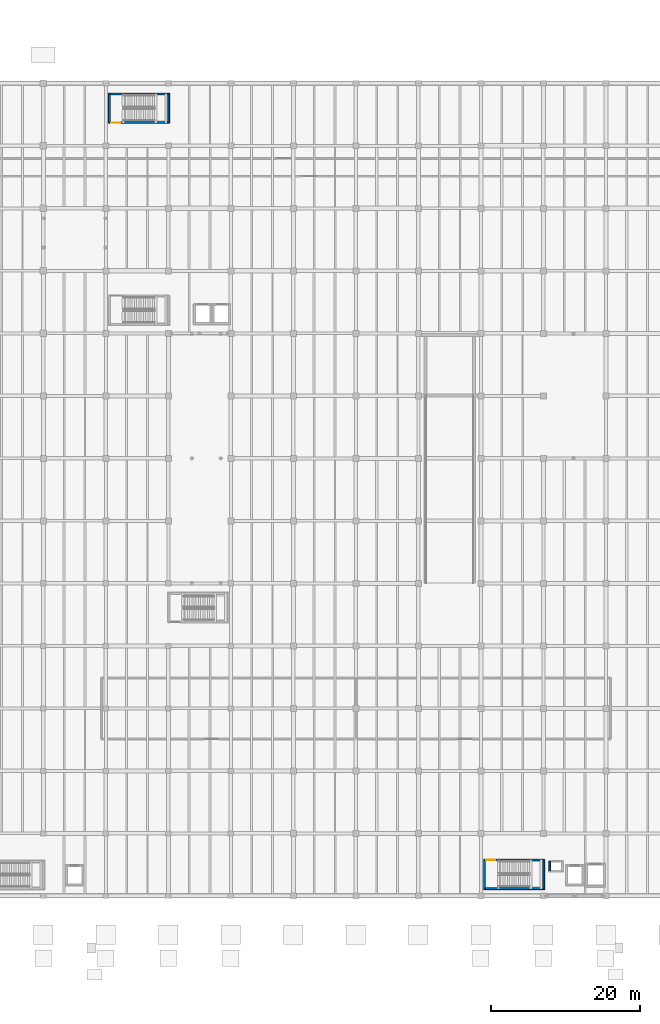
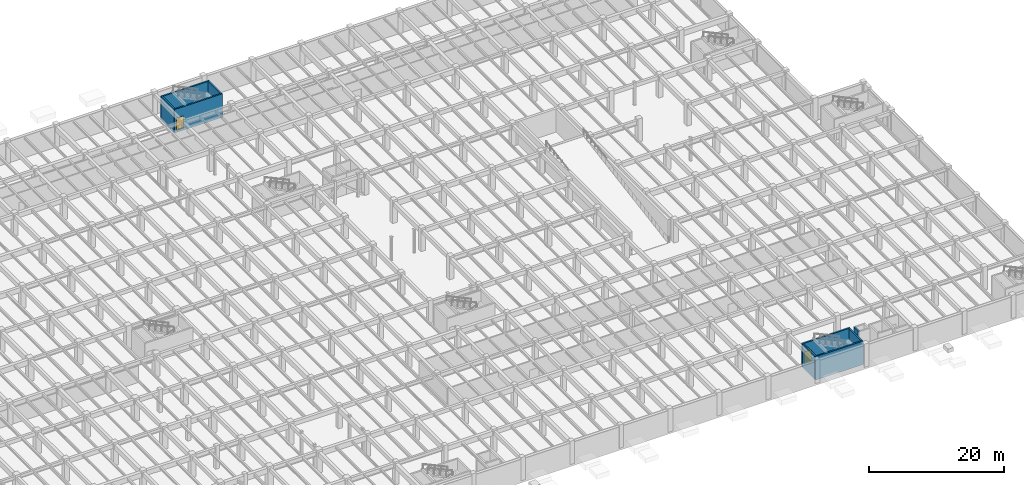
# One storey, part 44 of 63: 9 walls, 2 doors, 2 openings.
"""IFC4 building model written with IfcOpenShell, lengths in metres."""

from ifc_helpers import new_model, si_unit, direction, frame, frame_2d, origin, place, context, subcontext, project, spatial, rectangle, extrude, material, layer, layer_set, type_object, element, fill, save


model = new_model("IFC4")

# Units and contexts
model_context = context("Model", 3, precision=1e-05, world=origin(), true_north=direction((0.0, 1.0)))
body_context = subcontext(model_context, "Body", "Model", "MODEL_VIEW")
ifc_project = project(units=[si_unit("LENGTHUNIT", "METRE"), si_unit("AREAUNIT", "SQUARE_METRE"), si_unit("VOLUMEUNIT", "CUBIC_METRE"), si_unit("PLANEANGLEUNIT", "RADIAN"), si_unit("MASSUNIT", "GRAM", prefix="KILO")], contexts=[model_context])

# Site, building, storey
site_placement = place(None, origin())
site = spatial("IfcSite", under=ifc_project, at=site_placement, CompositionType="ELEMENT")
building_placement = place(site_placement, origin())
building = spatial("IfcBuilding", under=site, at=building_placement, Name="Cumbredor Promenade Congress Hotel", CompositionType="ELEMENT")
storey_placement = place(building_placement, frame((0.0, 0.0, -4.199951171875)))
storey = spatial("IfcBuildingStorey", under=building, at=storey_placement, Name="B01", CompositionType="ELEMENT", Elevation=-4.199951171875)

# Wall
ifc_material_1 = material(Name="Concrete C40/50", Category="concrete")
ifc_layer = layer(ifc_material_1, 0.2548828125, Name="Concrete C40/50", Category="concrete")
ifc_layer_set = layer_set([ifc_layer], Name="Concrete C40/50")
wall_type = type_object("IfcWallType", Name="WL-SHAFT-250", PredefinedType="SOLIDWALL", material=ifc_layer_set)
wall_1_placement = place(storey_placement, frame((143.152587890625, 9.3798828125, -0.400146484375), z_axis=(0.0, 0.0, 1.0), x_axis=(1.0, 0.0, 0.0)))
element("IfcWall", 1, at=wall_1_placement, inside=storey, type_object=wall_type, Name="STAIR-ST-08-B01 Shaft Wall South", PredefinedType="SOLIDWALL", context=body_context, shape_type="SweptSolid", body=[
    extrude(rectangle(XDim=8.224853515625, YDim=0.2548828125, at=frame_2d((4.1123046875, 0.0))), origin(), (0.0, 0.0, 1.0), 4.25),
])

# Wall, opening, door
wall_2_placement = place(storey_placement, frame((143.152587890625, 13.25, -0.400146484375), z_axis=(0.0, 0.0, 1.0), x_axis=(1.0, 0.0, 0.0)))
wall_2 = element("IfcWall", 2, at=wall_2_placement, inside=storey, type_object=wall_type, Name="STAIR-ST-08-B01 Shaft Wall North", PredefinedType="SOLIDWALL", context=body_context, shape_type="SweptSolid", body=[
    extrude(rectangle(XDim=8.224853515625, YDim=0.2548828125, at=frame_2d((4.1123046875, 0.0))), origin(), (0.0, 0.0, 1.0), 4.25),
])
opening_1_placement = place(wall_2_placement, frame((0.35009765625, 0.0, 0.39990234375)))
opening_1 = element("IfcOpeningElement", 3, at=opening_1_placement, cuts=wall_2, Name="Opening SD-02", PredefinedType="OPENING", context=body_context, shape_type="SweptSolid", body=[
    extrude(rectangle(XDim=1.25, YDim=2.199951171875, at=frame_2d((0.625, 1.10009765625))), frame((0.0, 0.137451171875, 0.0), z_axis=(0.0, -1.0, 0.0), x_axis=(1.0, 0.0, 0.0)), (0.0, 0.0, 1.0), 0.27490234375),
])
ifc_material_2 = material(Name="Painted galvanized steel fire door", Category="steel")
door_type = type_object("IfcDoorType", Name="DR-STAIR-FD90-1250", OperationType="NOTDEFINED", PredefinedType="DOOR", material=ifc_material_2)
door_1_placement = place(opening_1_placement, origin())
door_1 = element("IfcDoor", 4, at=door_1_placement, inside=storey, type_object=door_type, Name="B01 Protected Exit Stair ST-08 Door", OperationType="SINGLE_SWING_RIGHT", OverallHeight=2.199951171875, OverallWidth=1.25, PredefinedType="DOOR", context=body_context, shape_type="SweptSolid", body=[
    extrude(rectangle(XDim=1.25, YDim=2.199951171875, at=frame_2d((0.625, 1.10009765625))), frame((0.0, 0.02490234375, 0.0), z_axis=(0.0, -1.0, 0.0), x_axis=(1.0, 0.0, 0.0)), (0.0, 0.0, 1.0), 0.050048828125),
])
fill(opening_1, door_1)

# Walls
for number, where, z_axis, x_axis, name in (
    (5, (143.280029296875, 9.3798828125, -0.400146484375), (0.0, 0.0, 1.0), (0.0, 1.0, 0.0), "STAIR-ST-08-B01 Shaft Wall West"),
    (6, (151.25, 9.3798828125, -0.400146484375), (0.0, 0.0, 1.0), (0.0, 1.0, 0.0), "STAIR-ST-08-B01 Shaft Wall East"),
):
    element("IfcWall", number, at=place(storey_placement, frame(where, z_axis=z_axis, x_axis=x_axis)), inside=storey, type_object=wall_type, Name=name, PredefinedType="SOLIDWALL", context=body_context, shape_type="SweptSolid", body=[
        extrude(rectangle(XDim=3.8701171875, YDim=0.2548828125, at=frame_2d((1.93505859375, 0.0))), origin(), (0.0, 0.0, 1.0), 4.25),
    ])

# Wall, opening, door
wall_3_placement = place(storey_placement, frame((92.75244140625, 112.300048828125, -0.400146484375), z_axis=(0.0, 0.0, 1.0), x_axis=(1.0, 0.0, 0.0)))
wall_3 = element("IfcWall", 7, at=wall_3_placement, inside=storey, type_object=wall_type, Name="STAIR-ST-15-B01 Shaft Wall South", PredefinedType="SOLIDWALL", context=body_context, shape_type="SweptSolid", body=[
    extrude(rectangle(XDim=8.22509765625, YDim=0.2548828125, at=frame_2d((4.112548828125, 0.0))), origin(), (0.0, 0.0, 1.0), 4.25),
])
opening_2_placement = place(wall_3_placement, frame((0.35009765625, 0.0, 0.39990234375)))
opening_2 = element("IfcOpeningElement", 8, at=opening_2_placement, cuts=wall_3, Name="Opening SD-02", PredefinedType="OPENING", context=body_context, shape_type="SweptSolid", body=[
    extrude(rectangle(XDim=1.25, YDim=2.199951171875, at=frame_2d((0.625, 1.10009765625))), frame((0.0, 0.137451171875, 0.0), z_axis=(0.0, -1.0, 0.0), x_axis=(1.0, 0.0, 0.0)), (0.0, 0.0, 1.0), 0.27490234375),
])
door_2_placement = place(opening_2_placement, origin())
door_2 = element("IfcDoor", 9, at=door_2_placement, inside=storey, type_object=door_type, Name="B01 Protected Exit Stair ST-15 Door", OperationType="SINGLE_SWING_LEFT", OverallHeight=2.199951171875, OverallWidth=1.25, PredefinedType="DOOR", context=body_context, shape_type="SweptSolid", body=[
    extrude(rectangle(XDim=1.25, YDim=2.199951171875, at=frame_2d((0.625, 1.10009765625))), frame((0.0, 0.02490234375, 0.0), z_axis=(0.0, -1.0, 0.0), x_axis=(1.0, 0.0, 0.0)), (0.0, 0.0, 1.0), 0.050048828125),
])
fill(opening_2, door_2)

# Walls
wall_4_placement = place(storey_placement, frame((92.75244140625, 116.14990234375, -0.400146484375), z_axis=(0.0, 0.0, 1.0), x_axis=(1.0, 0.0, 0.0)))
element("IfcWall", 10, at=wall_4_placement, inside=storey, type_object=wall_type, Name="STAIR-ST-15-B01 Shaft Wall North", PredefinedType="SOLIDWALL", context=body_context, shape_type="SweptSolid", body=[
    extrude(rectangle(XDim=8.22509765625, YDim=0.2548828125, at=frame_2d((4.112548828125, 0.0))), origin(), (0.0, 0.0, 1.0), 4.25),
])
for number, where, z_axis, x_axis, name in (
    (11, (92.8798828125, 112.300048828125, -0.400146484375), (0.0, 0.0, 1.0), (0.0, 1.0, 0.0), "STAIR-ST-15-B01 Shaft Wall West"),
    (12, (100.85009765625, 112.300048828125, -0.400146484375), (0.0, 0.0, 1.0), (0.0, 1.0, 0.0), "STAIR-ST-15-B01 Shaft Wall East"),
):
    element("IfcWall", number, at=place(storey_placement, frame(where, z_axis=z_axis, x_axis=x_axis)), inside=storey, type_object=wall_type, Name=name, PredefinedType="SOLIDWALL", context=body_context, shape_type="SweptSolid", body=[
        extrude(rectangle(XDim=3.849853515625, YDim=0.2548828125, at=frame_2d((1.9248046875, 0.0))), origin(), (0.0, 0.0, 1.0), 4.25),
    ])
wall_5_placement = place(storey_placement, frame((152.050048828125, 11.75, -0.400146484375), z_axis=(0.0, 0.0, 1.0), x_axis=(0.0, 1.0, 0.0)))
element("IfcWall", 13, at=wall_5_placement, inside=storey, type_object=wall_type, Name="RISER-MEP-R3-B01 Shaft Wall West", PredefinedType="SOLIDWALL", context=body_context, shape_type="SweptSolid", body=[
    extrude(rectangle(XDim=1.300048828125, YDim=0.2548828125, at=frame_2d((0.64990234375, 0.0))), origin(), (0.0, 0.0, 1.0), 4.25),
])

save(model, "model.ifc")
